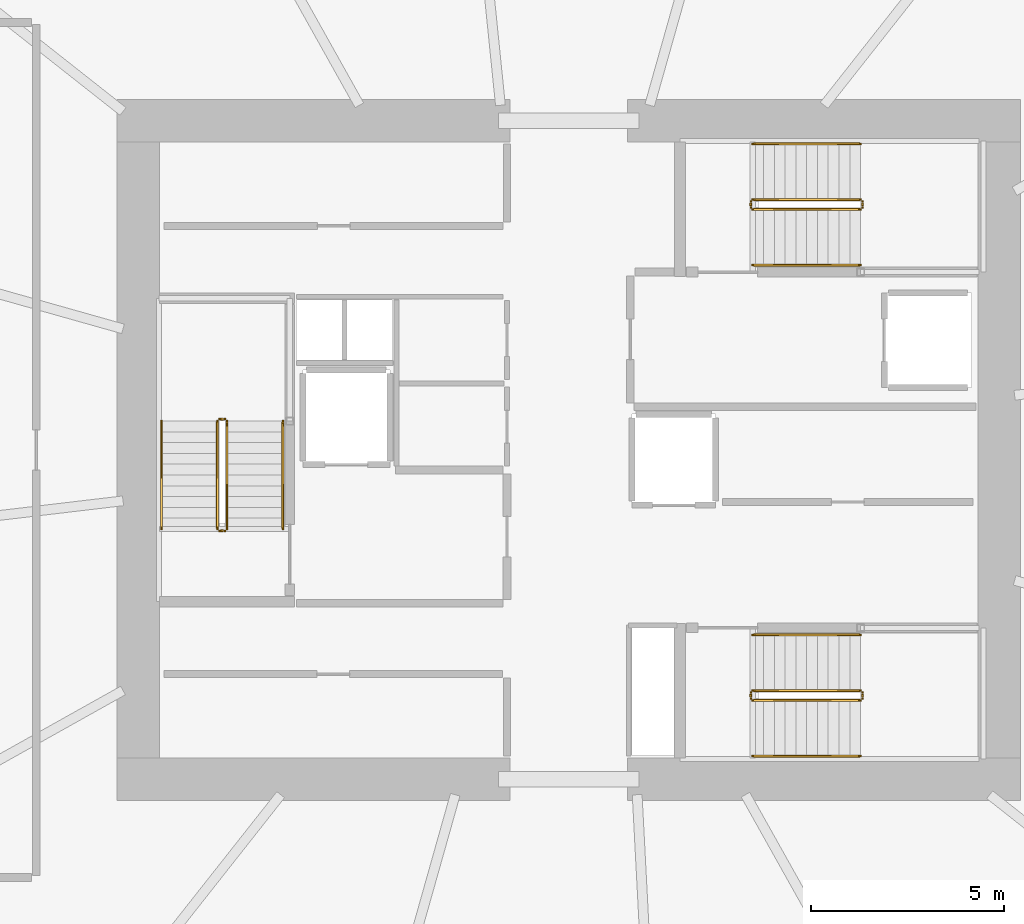
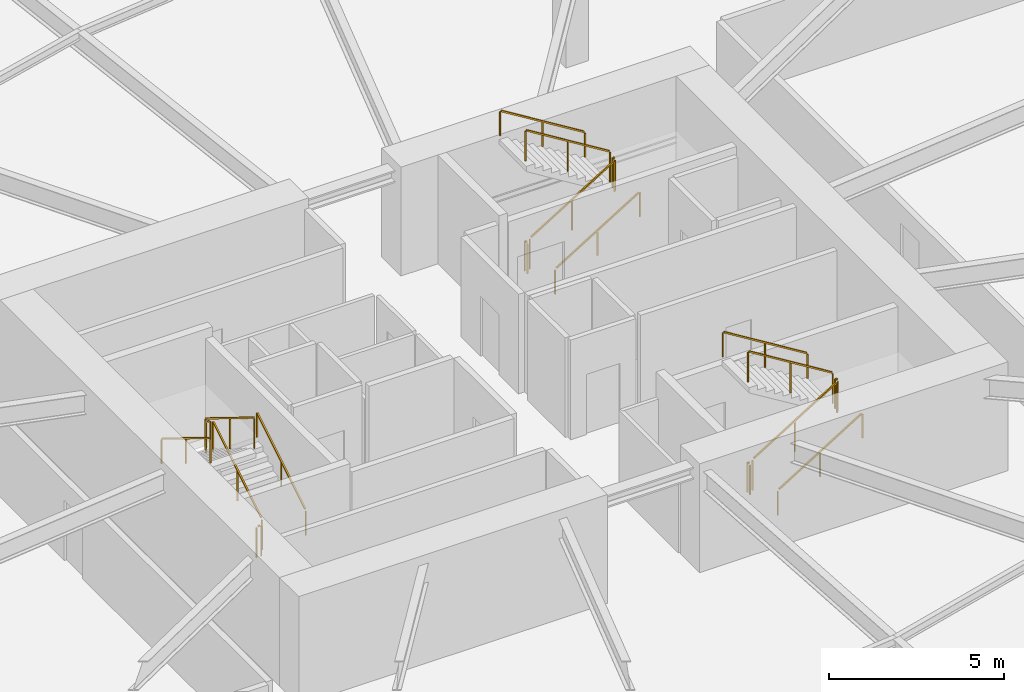
# One storey, part 12 of 13: 18 railings.
"""IFC4 building model written with IfcOpenShell, lengths in metres."""

from ifc_helpers import new_model, si_unit, direction, frame, origin, origin_2d, place, context, subcontext, project, spatial, rectangle, extrude, material, type_object, element, save


model = new_model("IFC4")

# Units and contexts
model_context = context("Model", 3, precision=1e-05, world=origin(), true_north=direction((0.0, 1.0)))
body_context = subcontext(model_context, "Body", "Model", "MODEL_VIEW")
ifc_project = project(units=[si_unit("LENGTHUNIT", "METRE"), si_unit("AREAUNIT", "SQUARE_METRE"), si_unit("VOLUMEUNIT", "CUBIC_METRE"), si_unit("PLANEANGLEUNIT", "RADIAN"), si_unit("MASSUNIT", "GRAM", prefix="KILO")], contexts=[model_context])

# Site, building, storey
site_placement = place(None, origin())
site = spatial("IfcSite", under=ifc_project, at=site_placement, CompositionType="ELEMENT")
building_placement = place(site_placement, origin())
building = spatial("IfcBuilding", under=site, at=building_placement, Name="Kazma Halo Residences", CompositionType="ELEMENT")
storey_placement = place(building_placement, frame((0.0, 0.0, -3.800048828125)))
storey = spatial("IfcBuildingStorey", under=building, at=storey_placement, Name="B01", CompositionType="ELEMENT", Elevation=-3.800048828125)

# Railings
ifc_material_1 = material(Name="Painted Steel S355", Category="steel")
railing_type_1 = type_object("IfcRailingType", Name="RLG-STAIR-GRD-1100", PredefinedType="GUARDRAIL", material=ifc_material_1)
railing_1_placement = place(storey_placement, frame((39.550048828125, 39.949951171875, 0.1728515625)))
element("IfcRailing", 1, at=railing_1_placement, inside=storey, type_object=railing_type_1, Name="B01 ST-01 stair guard 1", PredefinedType="GUARDRAIL", context=body_context, shape_type="SweptSolid", body=[
    extrude(rectangle(XDim=0.050048828125, YDim=0.050048828125, at=origin_2d()), frame((0.0, 0.0361328125, 1.097412109375), z_axis=(0.0, 0.851089632645, 0.525020415988), x_axis=(-1.0, 0.0, 0.0)), (0.0, 0.0, 1.0), 3.204833984375),
    extrude(rectangle(XDim=0.0400390625, YDim=0.0400390625, at=origin_2d()), origin(), (0.0, 0.0, 1.0), 1.0380859375),
    extrude(rectangle(XDim=0.0400390625, YDim=0.0400390625, at=origin_2d()), frame((0.0, 1.39990234375, 0.86376953125)), (0.0, 0.0, 1.0), 1.0380859375),
    extrude(rectangle(XDim=0.0400390625, YDim=0.0400390625, at=origin_2d()), frame((0.0, 2.800048828125, 1.727294921875)), (0.0, 0.0, 1.0), 1.0380859375),
])
railing_2_placement = place(storey_placement, frame((39.5, 42.800048828125, 1.900146484375)))
element("IfcRailing", 2, at=railing_2_placement, inside=storey, type_object=railing_type_1, Name="B01 ST-01 stair guard 2", PredefinedType="GUARDRAIL", context=body_context, shape_type="SweptSolid", body=[
    extrude(rectangle(XDim=0.050048828125, YDim=0.050048828125, at=origin_2d()), frame((-0.04248046875, 0.0, 1.0751953125), z_axis=(-1.0, 0.0, 0.0), x_axis=(0.0, -1.0, 0.0)), (0.0, 0.0, 1.0), 0.06494140625),
    extrude(rectangle(XDim=0.0400390625, YDim=0.0400390625, at=origin_2d()), origin(), (0.0, 0.0, 1.0), 1.0380859375),
    extrude(rectangle(XDim=0.0400390625, YDim=0.0400390625, at=origin_2d()), frame((-0.14990234375, 0.0, 0.0)), (0.0, 0.0, 1.0), 1.0380859375),
])
railing_3_placement = place(storey_placement, frame((39.300048828125, 42.75, 2.07275390625)))
element("IfcRailing", 3, at=railing_3_placement, inside=storey, type_object=railing_type_1, Name="B01 ST-01 stair guard 3", PredefinedType="GUARDRAIL", context=body_context, shape_type="SweptSolid", body=[
    extrude(rectangle(XDim=0.050048828125, YDim=0.050048828125, at=origin_2d()), frame((0.0, -0.0361328125, 1.097412109375), z_axis=(0.0, -0.851089632645, 0.525020415988), x_axis=(1.0, 0.0, 0.0)), (0.0, 0.0, 1.0), 3.204833984375),
    extrude(rectangle(XDim=0.0400390625, YDim=0.0400390625, at=origin_2d()), origin(), (0.0, 0.0, 1.0), 1.0380859375),
    extrude(rectangle(XDim=0.0400390625, YDim=0.0400390625, at=origin_2d()), frame((0.0, -1.39990234375, 0.86376953125)), (0.0, 0.0, 1.0), 1.0380859375),
    extrude(rectangle(XDim=0.0400390625, YDim=0.0400390625, at=origin_2d()), frame((0.0, -2.800048828125, 1.727294921875)), (0.0, 0.0, 1.0), 1.0380859375),
])
railing_4_placement = place(storey_placement, frame((39.5, 39.89990234375, 0.0)))
element("IfcRailing", 4, at=railing_4_placement, inside=storey, type_object=railing_type_1, Name="B01 ST-01 stair guard 4", PredefinedType="GUARDRAIL", context=body_context, shape_type="SweptSolid", body=[
    extrude(rectangle(XDim=0.050048828125, YDim=0.050048828125, at=origin_2d()), frame((-0.04248046875, 0.0, 1.0751953125), z_axis=(-1.0, 0.0, 0.0), x_axis=(0.0, -1.0, 0.0)), (0.0, 0.0, 1.0), 0.06494140625),
    extrude(rectangle(XDim=0.0400390625, YDim=0.0400390625, at=origin_2d()), origin(), (0.0, 0.0, 1.0), 1.0380859375),
    extrude(rectangle(XDim=0.0400390625, YDim=0.0400390625, at=origin_2d()), frame((-0.14990234375, 0.0, 0.0)), (0.0, 0.0, 1.0), 1.0380859375),
])
railing_5_placement = place(storey_placement, frame((53.199951171875, 48.25, 0.1728515625)))
element("IfcRailing", 5, at=railing_5_placement, inside=storey, type_object=railing_type_1, Name="B01 ST-02 stair guard 1", PredefinedType="GUARDRAIL", context=body_context, shape_type="SweptSolid", body=[
    extrude(rectangle(XDim=0.050048828125, YDim=0.050048828125, at=origin_2d()), frame((0.0361328125, 0.0, 1.097412109375), z_axis=(0.851089632645, 0.0, 0.525020415988), x_axis=(0.0, 1.0, 0.0)), (0.0, 0.0, 1.0), 3.204833984375),
    extrude(rectangle(XDim=0.0400390625, YDim=0.0400390625, at=origin_2d()), origin(), (0.0, 0.0, 1.0), 1.0380859375),
    extrude(rectangle(XDim=0.0400390625, YDim=0.0400390625, at=origin_2d()), frame((1.39990234375, 0.0, 0.86376953125)), (0.0, 0.0, 1.0), 1.0380859375),
    extrude(rectangle(XDim=0.0400390625, YDim=0.0400390625, at=origin_2d()), frame((2.800048828125, 0.0, 1.727294921875)), (0.0, 0.0, 1.0), 1.0380859375),
])
railing_6_placement = place(storey_placement, frame((56.050048828125, 48.300048828125, 1.900146484375)))
element("IfcRailing", 6, at=railing_6_placement, inside=storey, type_object=railing_type_1, Name="B01 ST-02 stair guard 2", PredefinedType="GUARDRAIL", context=body_context, shape_type="SweptSolid", body=[
    extrude(rectangle(XDim=0.050048828125, YDim=0.050048828125, at=origin_2d()), frame((0.0, 0.04248046875, 1.0751953125), z_axis=(0.0, 1.0, 0.0), x_axis=(-1.0, 0.0, 0.0)), (0.0, 0.0, 1.0), 0.06494140625),
    extrude(rectangle(XDim=0.0400390625, YDim=0.0400390625, at=origin_2d()), origin(), (0.0, 0.0, 1.0), 1.0380859375),
    extrude(rectangle(XDim=0.0400390625, YDim=0.0400390625, at=origin_2d()), frame((0.0, 0.14990234375, 0.0)), (0.0, 0.0, 1.0), 1.0380859375),
])
railing_7_placement = place(storey_placement, frame((56.0, 48.5, 2.07275390625)))
element("IfcRailing", 7, at=railing_7_placement, inside=storey, type_object=railing_type_1, Name="B01 ST-02 stair guard 3", PredefinedType="GUARDRAIL", context=body_context, shape_type="SweptSolid", body=[
    extrude(rectangle(XDim=0.050048828125, YDim=0.050048828125, at=origin_2d()), frame((-0.0361328125, 0.0, 1.097412109375), z_axis=(-0.851089632645, 0.0, 0.525020415988), x_axis=(0.0, -1.0, 0.0)), (0.0, 0.0, 1.0), 3.204833984375),
    extrude(rectangle(XDim=0.0400390625, YDim=0.0400390625, at=origin_2d()), origin(), (0.0, 0.0, 1.0), 1.0380859375),
    extrude(rectangle(XDim=0.0400390625, YDim=0.0400390625, at=origin_2d()), frame((-1.39990234375, 0.0, 0.86376953125)), (0.0, 0.0, 1.0), 1.0380859375),
    extrude(rectangle(XDim=0.0400390625, YDim=0.0400390625, at=origin_2d()), frame((-2.800048828125, 0.0, 1.727294921875)), (0.0, 0.0, 1.0), 1.0380859375),
])
railing_8_placement = place(storey_placement, frame((53.14990234375, 48.300048828125, 0.0)))
element("IfcRailing", 8, at=railing_8_placement, inside=storey, type_object=railing_type_1, Name="B01 ST-02 stair guard 4", PredefinedType="GUARDRAIL", context=body_context, shape_type="SweptSolid", body=[
    extrude(rectangle(XDim=0.050048828125, YDim=0.050048828125, at=origin_2d()), frame((0.0, 0.04248046875, 1.0751953125), z_axis=(0.0, 1.0, 0.0), x_axis=(-1.0, 0.0, 0.0)), (0.0, 0.0, 1.0), 0.06494140625),
    extrude(rectangle(XDim=0.0400390625, YDim=0.0400390625, at=origin_2d()), origin(), (0.0, 0.0, 1.0), 1.0380859375),
    extrude(rectangle(XDim=0.0400390625, YDim=0.0400390625, at=origin_2d()), frame((0.0, 0.14990234375, 0.0)), (0.0, 0.0, 1.0), 1.0380859375),
])
railing_9_placement = place(storey_placement, frame((53.199951171875, 35.5, 0.1728515625)))
element("IfcRailing", 9, at=railing_9_placement, inside=storey, type_object=railing_type_1, Name="B01 ST-03 stair guard 1", PredefinedType="GUARDRAIL", context=body_context, shape_type="SweptSolid", body=[
    extrude(rectangle(XDim=0.050048828125, YDim=0.050048828125, at=origin_2d()), frame((0.0361328125, 0.0, 1.097412109375), z_axis=(0.851089632645, 0.0, 0.525020415988), x_axis=(0.0, 1.0, 0.0)), (0.0, 0.0, 1.0), 3.204833984375),
    extrude(rectangle(XDim=0.0400390625, YDim=0.0400390625, at=origin_2d()), origin(), (0.0, 0.0, 1.0), 1.0380859375),
    extrude(rectangle(XDim=0.0400390625, YDim=0.0400390625, at=origin_2d()), frame((1.39990234375, 0.0, 0.86376953125)), (0.0, 0.0, 1.0), 1.0380859375),
    extrude(rectangle(XDim=0.0400390625, YDim=0.0400390625, at=origin_2d()), frame((2.800048828125, 0.0, 1.727294921875)), (0.0, 0.0, 1.0), 1.0380859375),
])
railing_10_placement = place(storey_placement, frame((56.050048828125, 35.550048828125, 1.900146484375)))
element("IfcRailing", 10, at=railing_10_placement, inside=storey, type_object=railing_type_1, Name="B01 ST-03 stair guard 2", PredefinedType="GUARDRAIL", context=body_context, shape_type="SweptSolid", body=[
    extrude(rectangle(XDim=0.050048828125, YDim=0.050048828125, at=origin_2d()), frame((0.0, 0.04248046875, 1.0751953125), z_axis=(0.0, 1.0, 0.0), x_axis=(-1.0, 0.0, 0.0)), (0.0, 0.0, 1.0), 0.06494140625),
    extrude(rectangle(XDim=0.0400390625, YDim=0.0400390625, at=origin_2d()), origin(), (0.0, 0.0, 1.0), 1.0380859375),
    extrude(rectangle(XDim=0.0400390625, YDim=0.0400390625, at=origin_2d()), frame((0.0, 0.14990234375, 0.0)), (0.0, 0.0, 1.0), 1.0380859375),
])
railing_11_placement = place(storey_placement, frame((56.0, 35.75, 2.07275390625)))
element("IfcRailing", 11, at=railing_11_placement, inside=storey, type_object=railing_type_1, Name="B01 ST-03 stair guard 3", PredefinedType="GUARDRAIL", context=body_context, shape_type="SweptSolid", body=[
    extrude(rectangle(XDim=0.050048828125, YDim=0.050048828125, at=origin_2d()), frame((-0.0361328125, 0.0, 1.097412109375), z_axis=(-0.851089632645, 0.0, 0.525020415988), x_axis=(0.0, -1.0, 0.0)), (0.0, 0.0, 1.0), 3.204833984375),
    extrude(rectangle(XDim=0.0400390625, YDim=0.0400390625, at=origin_2d()), origin(), (0.0, 0.0, 1.0), 1.0380859375),
    extrude(rectangle(XDim=0.0400390625, YDim=0.0400390625, at=origin_2d()), frame((-1.39990234375, 0.0, 0.86376953125)), (0.0, 0.0, 1.0), 1.0380859375),
    extrude(rectangle(XDim=0.0400390625, YDim=0.0400390625, at=origin_2d()), frame((-2.800048828125, 0.0, 1.727294921875)), (0.0, 0.0, 1.0), 1.0380859375),
])
railing_12_placement = place(storey_placement, frame((53.14990234375, 35.550048828125, 0.0)))
element("IfcRailing", 12, at=railing_12_placement, inside=storey, type_object=railing_type_1, Name="B01 ST-03 stair guard 4", PredefinedType="GUARDRAIL", context=body_context, shape_type="SweptSolid", body=[
    extrude(rectangle(XDim=0.050048828125, YDim=0.050048828125, at=origin_2d()), frame((0.0, 0.04248046875, 1.0751953125), z_axis=(0.0, 1.0, 0.0), x_axis=(-1.0, 0.0, 0.0)), (0.0, 0.0, 1.0), 0.06494140625),
    extrude(rectangle(XDim=0.0400390625, YDim=0.0400390625, at=origin_2d()), origin(), (0.0, 0.0, 1.0), 1.0380859375),
    extrude(rectangle(XDim=0.0400390625, YDim=0.0400390625, at=origin_2d()), frame((0.0, 0.14990234375, 0.0)), (0.0, 0.0, 1.0), 1.0380859375),
])
ifc_material_2 = material(Name="Brushed Stainless Steel", Category="steel")
railing_type_2 = type_object("IfcRailingType", Name="RLG-STAIR-HND-900", PredefinedType="HANDRAIL", material=ifc_material_2)
railing_13_placement = place(storey_placement, frame((41.0, 39.949951171875, 0.1728515625)))
element("IfcRailing", 13, at=railing_13_placement, inside=storey, type_object=railing_type_2, Name="B01 ST-01 stair handrail 1", PredefinedType="HANDRAIL", context=body_context, shape_type="SweptSolid", body=[
    extrude(rectangle(XDim=0.050048828125, YDim=0.050048828125, at=origin_2d()), frame((0.0, 0.0361328125, 0.897216796875), z_axis=(0.0, 0.851089632645, 0.525020415988), x_axis=(-1.0, 0.0, 0.0)), (0.0, 0.0, 1.0), 3.204833984375),
    extrude(rectangle(XDim=0.0400390625, YDim=0.0400390625, at=origin_2d()), origin(), (0.0, 0.0, 1.0), 0.837890625),
    extrude(rectangle(XDim=0.0400390625, YDim=0.0400390625, at=origin_2d()), frame((0.0, 1.39990234375, 0.86376953125)), (0.0, 0.0, 1.0), 0.837890625),
    extrude(rectangle(XDim=0.0400390625, YDim=0.0400390625, at=origin_2d()), frame((0.0, 2.800048828125, 1.727294921875)), (0.0, 0.0, 1.0), 0.837890625),
])
railing_14_placement = place(storey_placement, frame((37.85009765625, 42.75, 2.07275390625)))
element("IfcRailing", 14, at=railing_14_placement, inside=storey, type_object=railing_type_2, Name="B01 ST-01 stair handrail 2", PredefinedType="HANDRAIL", context=body_context, shape_type="SweptSolid", body=[
    extrude(rectangle(XDim=0.050048828125, YDim=0.050048828125, at=origin_2d()), frame((0.0, -0.0361328125, 0.897216796875), z_axis=(0.0, -0.851089632645, 0.525020415988), x_axis=(1.0, 0.0, 0.0)), (0.0, 0.0, 1.0), 3.204833984375),
    extrude(rectangle(XDim=0.0400390625, YDim=0.0400390625, at=origin_2d()), origin(), (0.0, 0.0, 1.0), 0.837890625),
    extrude(rectangle(XDim=0.0400390625, YDim=0.0400390625, at=origin_2d()), frame((0.0, -1.39990234375, 0.86376953125)), (0.0, 0.0, 1.0), 0.837890625),
    extrude(rectangle(XDim=0.0400390625, YDim=0.0400390625, at=origin_2d()), frame((0.0, -2.800048828125, 1.727294921875)), (0.0, 0.0, 1.0), 0.837890625),
])
railing_15_placement = place(storey_placement, frame((53.199951171875, 46.800048828125, 0.1728515625)))
element("IfcRailing", 15, at=railing_15_placement, inside=storey, type_object=railing_type_2, Name="B01 ST-02 stair handrail 1", PredefinedType="HANDRAIL", context=body_context, shape_type="SweptSolid", body=[
    extrude(rectangle(XDim=0.050048828125, YDim=0.050048828125, at=origin_2d()), frame((0.0361328125, 0.0, 0.897216796875), z_axis=(0.851089632645, 0.0, 0.525020415988), x_axis=(0.0, 1.0, 0.0)), (0.0, 0.0, 1.0), 3.204833984375),
    extrude(rectangle(XDim=0.0400390625, YDim=0.0400390625, at=origin_2d()), origin(), (0.0, 0.0, 1.0), 0.837890625),
    extrude(rectangle(XDim=0.0400390625, YDim=0.0400390625, at=origin_2d()), frame((1.39990234375, 0.0, 0.86376953125)), (0.0, 0.0, 1.0), 0.837890625),
    extrude(rectangle(XDim=0.0400390625, YDim=0.0400390625, at=origin_2d()), frame((2.800048828125, 0.0, 1.727294921875)), (0.0, 0.0, 1.0), 0.837890625),
])
railing_16_placement = place(storey_placement, frame((56.0, 49.949951171875, 2.07275390625)))
element("IfcRailing", 16, at=railing_16_placement, inside=storey, type_object=railing_type_2, Name="B01 ST-02 stair handrail 2", PredefinedType="HANDRAIL", context=body_context, shape_type="SweptSolid", body=[
    extrude(rectangle(XDim=0.050048828125, YDim=0.050048828125, at=origin_2d()), frame((-0.0361328125, 0.0, 0.897216796875), z_axis=(-0.851089632645, 0.0, 0.525020415988), x_axis=(0.0, -1.0, 0.0)), (0.0, 0.0, 1.0), 3.204833984375),
    extrude(rectangle(XDim=0.0400390625, YDim=0.0400390625, at=origin_2d()), origin(), (0.0, 0.0, 1.0), 0.837890625),
    extrude(rectangle(XDim=0.0400390625, YDim=0.0400390625, at=origin_2d()), frame((-1.39990234375, 0.0, 0.86376953125)), (0.0, 0.0, 1.0), 0.837890625),
    extrude(rectangle(XDim=0.0400390625, YDim=0.0400390625, at=origin_2d()), frame((-2.800048828125, 0.0, 1.727294921875)), (0.0, 0.0, 1.0), 0.837890625),
])
railing_17_placement = place(storey_placement, frame((53.199951171875, 34.050048828125, 0.1728515625)))
element("IfcRailing", 17, at=railing_17_placement, inside=storey, type_object=railing_type_2, Name="B01 ST-03 stair handrail 1", PredefinedType="HANDRAIL", context=body_context, shape_type="SweptSolid", body=[
    extrude(rectangle(XDim=0.050048828125, YDim=0.050048828125, at=origin_2d()), frame((0.0361328125, 0.0, 0.897216796875), z_axis=(0.851089632645, 0.0, 0.525020415988), x_axis=(0.0, 1.0, 0.0)), (0.0, 0.0, 1.0), 3.204833984375),
    extrude(rectangle(XDim=0.0400390625, YDim=0.0400390625, at=origin_2d()), origin(), (0.0, 0.0, 1.0), 0.837890625),
    extrude(rectangle(XDim=0.0400390625, YDim=0.0400390625, at=origin_2d()), frame((1.39990234375, 0.0, 0.86376953125)), (0.0, 0.0, 1.0), 0.837890625),
    extrude(rectangle(XDim=0.0400390625, YDim=0.0400390625, at=origin_2d()), frame((2.800048828125, 0.0, 1.727294921875)), (0.0, 0.0, 1.0), 0.837890625),
])
railing_18_placement = place(storey_placement, frame((56.0, 37.199951171875, 2.07275390625)))
element("IfcRailing", 18, at=railing_18_placement, inside=storey, type_object=railing_type_2, Name="B01 ST-03 stair handrail 2", PredefinedType="HANDRAIL", context=body_context, shape_type="SweptSolid", body=[
    extrude(rectangle(XDim=0.050048828125, YDim=0.050048828125, at=origin_2d()), frame((-0.0361328125, 0.0, 0.897216796875), z_axis=(-0.851089632645, 0.0, 0.525020415988), x_axis=(0.0, -1.0, 0.0)), (0.0, 0.0, 1.0), 3.204833984375),
    extrude(rectangle(XDim=0.0400390625, YDim=0.0400390625, at=origin_2d()), origin(), (0.0, 0.0, 1.0), 0.837890625),
    extrude(rectangle(XDim=0.0400390625, YDim=0.0400390625, at=origin_2d()), frame((-1.39990234375, 0.0, 0.86376953125)), (0.0, 0.0, 1.0), 0.837890625),
    extrude(rectangle(XDim=0.0400390625, YDim=0.0400390625, at=origin_2d()), frame((-2.800048828125, 0.0, 1.727294921875)), (0.0, 0.0, 1.0), 0.837890625),
])

save(model, "model.ifc")
